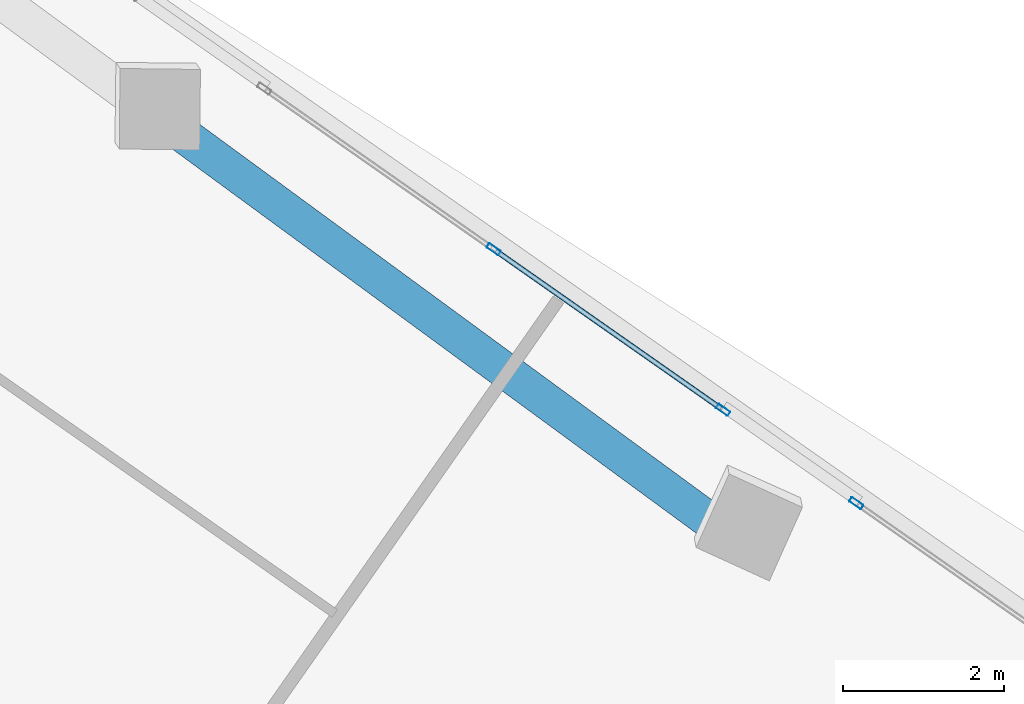
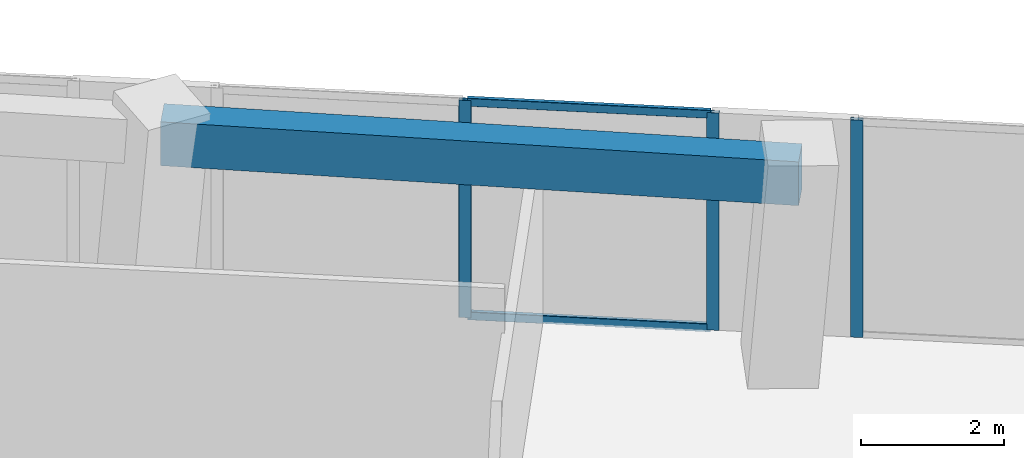
# One storey, part 11 of 22: 5 members, 1 beam, 2 elements without a shape of their own.
"""IFC4 building model written with IfcOpenShell, lengths in metres."""

from ifc_helpers import new_model, si_unit, direction, frame, origin, origin_2d, place, context, subcontext, project, spatial, rectangle, hollow_rectangle, extrude, source, transform, mapped, material, material_profile, profile_set, type_object, element, aggregate, save


model = new_model("IFC4")

# Units and contexts
model_context = context("Model", 3, precision=1e-05, world=origin(), true_north=direction((0.0, 1.0)))
body_context = subcontext(model_context, "Body", "Model", "MODEL_VIEW")
ifc_project = project(units=[si_unit("LENGTHUNIT", "METRE"), si_unit("AREAUNIT", "SQUARE_METRE"), si_unit("VOLUMEUNIT", "CUBIC_METRE"), si_unit("PLANEANGLEUNIT", "RADIAN"), si_unit("MASSUNIT", "GRAM", prefix="KILO")], contexts=[model_context])

# Site, building, storey
site_placement = place(None, origin())
site = spatial("IfcSite", under=ifc_project, at=site_placement, CompositionType="ELEMENT")
building_placement = place(site_placement, origin())
building = spatial("IfcBuilding", under=site, at=building_placement, Name="Torre Montelarca", CompositionType="ELEMENT")
storey_placement = place(building_placement, frame((0.0, 0.0, 196.0)))
storey = spatial("IfcBuildingStorey", under=building, at=storey_placement, Name="L44", CompositionType="ELEMENT", Elevation=196.0)

# Beam
ifc_material_1 = material(Name="Concrete C55/67", Category="concrete")
ifc_material_profile_1 = material_profile(ifc_material_1, rectangle(XDim=0.449951171875, YDim=0.75, at=origin_2d()), Name="RCB450X750", Category="concrete")
ifc_profile_set_1 = profile_set([ifc_material_profile_1], Name="Concrete C55/67")
beam_type = type_object("IfcBeamType", Name="BM-SP-RC750-EXT", PredefinedType="SPANDREL", material=ifc_profile_set_1)
shared_shape_1 = source(origin(), body_context, "Body", "SweptSolid", [
    extrude(rectangle(XDim=0.449951171875, YDim=0.75, at=origin_2d()), origin(), (0.0, 0.0, 1.0), 9.0),
])
beam_placement = place(storey_placement, frame((34.893798828125, 40.96533203125, 3.5849609375), z_axis=(0.806447251738, -0.591306037653, 0.0), x_axis=(0.591306037653, 0.806447251738, 0.0)))
element("IfcBeam", 1, at=beam_placement, inside=storey, type_object=beam_type, Name="L44 Grid Girder X 27.0-36.0 at Y=47.1", PredefinedType="SPANDREL", context=body_context, shape_type="MappedRepresentation", body=[
    mapped(shared_shape_1, transform((0.0, 0.0, 0.0), scale=1.0)),
])

# Curtain wall, member
ifc_material_2 = material(Name="Insulated low-E laminated glass", Category="glass")
curtain_wall_type = type_object("IfcCurtainWallType", Name="CW-SYS-Z2", PredefinedType="USERDEFINED", material=ifc_material_2)
curtain_wall_1_placement = place(storey_placement, origin())
curtain_wall_1 = element("IfcCurtainWall", 2, at=curtain_wall_1_placement, inside=storey, type_object=curtain_wall_type, Name="L44 Curtain Wall Run CW-T3-L44-E08-B1", ObjectType="UNITISED GLAZING", PredefinedType="USERDEFINED")
ifc_material_3 = material(Name="Anodised aluminium AA 6063-T6", Category="aluminium")
ifc_material_profile_2 = material_profile(ifc_material_3, hollow_rectangle(XDim=0.06494140625, YDim=0.179931640625, WallThickness=0.00390625, InnerFilletRadius=0.00390625, OuterFilletRadius=0.008056640625, at=origin_2d()), Name="ALU65X180X4", Category="aluminium")
ifc_profile_set_2 = profile_set([ifc_material_profile_2], Name="Anodised aluminium AA 6063-T6")
member_type_1 = type_object("IfcMemberType", Name="CWM-ALU180", PredefinedType="MULLION", material=ifc_profile_set_2)
shared_shape_2 = source(origin(), body_context, "Body", "SweptSolid", [
    extrude(hollow_rectangle(XDim=0.06494140625, YDim=0.179931640625, WallThickness=0.00390625, InnerFilletRadius=0.00390625, OuterFilletRadius=0.008056640625, at=origin_2d()), origin(), (0.0, 0.0, 1.0), 3.719970703125),
])
member_1_placement = place(storey_placement, frame((43.424560546875, 36.26611328125, 0.0), z_axis=(0.0, 0.0, 1.0), x_axis=(-0.573569662117, -0.819156787617, 0.0)))
member_1 = element("IfcMember", 3, at=member_1_placement, type_object=member_type_1, Name="CW mullion 3", PredefinedType="MULLION", context=body_context, shape_type="MappedRepresentation", body=[
    mapped(shared_shape_2, transform((0.0, 0.0, 0.0), scale=1.0)),
])
aggregate(curtain_wall_1, [member_1])

# Curtain wall, members
curtain_wall_2_placement = place(storey_placement, origin())
curtain_wall_2 = element("IfcCurtainWall", 4, at=curtain_wall_2_placement, inside=storey, type_object=curtain_wall_type, Name="L44 Curtain Wall Run CW-T3-L44-E08-B2", ObjectType="UNITISED GLAZING", PredefinedType="USERDEFINED")
member_2_placement = place(storey_placement, frame((41.765625, 37.427734375, 0.0), z_axis=(0.0, 0.0, 1.0), x_axis=(-0.57358055092, -0.819149163221, 0.0)))
member_2 = element("IfcMember", 5, at=member_2_placement, type_object=member_type_1, Name="CW mullion 1", PredefinedType="MULLION", context=body_context, shape_type="MappedRepresentation", body=[
    mapped(shared_shape_2, transform((0.0, 0.0, 0.0), scale=1.0)),
])
member_3_placement = place(storey_placement, frame((38.908935546875, 39.427978515625, 0.0), z_axis=(0.0, 0.0, 1.0), x_axis=(-0.57358055092, -0.819149163221, 0.0)))
member_3 = element("IfcMember", 6, at=member_3_placement, type_object=member_type_1, Name="CW mullion 2", PredefinedType="MULLION", context=body_context, shape_type="MappedRepresentation", body=[
    mapped(shared_shape_2, transform((0.0, 0.0, 0.0), scale=1.0)),
])
ifc_material_profile_3 = material_profile(ifc_material_3, hollow_rectangle(XDim=0.06494140625, YDim=0.139892578125, WallThickness=0.00390625, InnerFilletRadius=0.00390625, OuterFilletRadius=0.008056640625, at=origin_2d()), Name="ALU65X140X4", Category="aluminium")
ifc_profile_set_3 = profile_set([ifc_material_profile_3], Name="Anodised aluminium AA 6063-T6")
member_type_2 = type_object("IfcMemberType", Name="CWT-ALU140", PredefinedType="USERDEFINED", material=ifc_profile_set_3)
shared_shape_3 = source(origin(), body_context, "Body", "SweptSolid", [
    extrude(hollow_rectangle(XDim=0.06494140625, YDim=0.139892578125, WallThickness=0.00390625, InnerFilletRadius=0.00390625, OuterFilletRadius=0.008056640625, at=origin_2d()), origin(), (0.0, 0.0, 1.0), 3.42236328125),
])
member_4_placement = place(storey_placement, frame((41.739013671875, 37.4462890625, 0.032470703125), z_axis=(-0.819134721404, 0.573601175199, 0.0), x_axis=(-0.573601175199, -0.819134721404, 0.0)))
member_4 = element("IfcMember", 7, at=member_4_placement, type_object=member_type_2, Name="CW transom 1.1", ObjectType="TRANSOM", PredefinedType="USERDEFINED", context=body_context, shape_type="MappedRepresentation", body=[
    mapped(shared_shape_3, transform((0.0, 0.0, 0.0), scale=1.0)),
])
member_5_placement = place(storey_placement, frame((41.739013671875, 37.4462890625, 3.6875), z_axis=(-0.819134721404, 0.573601175199, 0.0), x_axis=(-0.573601175199, -0.819134721404, 0.0)))
member_5 = element("IfcMember", 8, at=member_5_placement, type_object=member_type_2, Name="CW transom 1.2", ObjectType="TRANSOM", PredefinedType="USERDEFINED", context=body_context, shape_type="MappedRepresentation", body=[
    mapped(shared_shape_3, transform((0.0, 0.0, 0.0), scale=1.0)),
])
aggregate(curtain_wall_2, [member_2, member_3, member_4, member_5])

save(model, "model.ifc")
